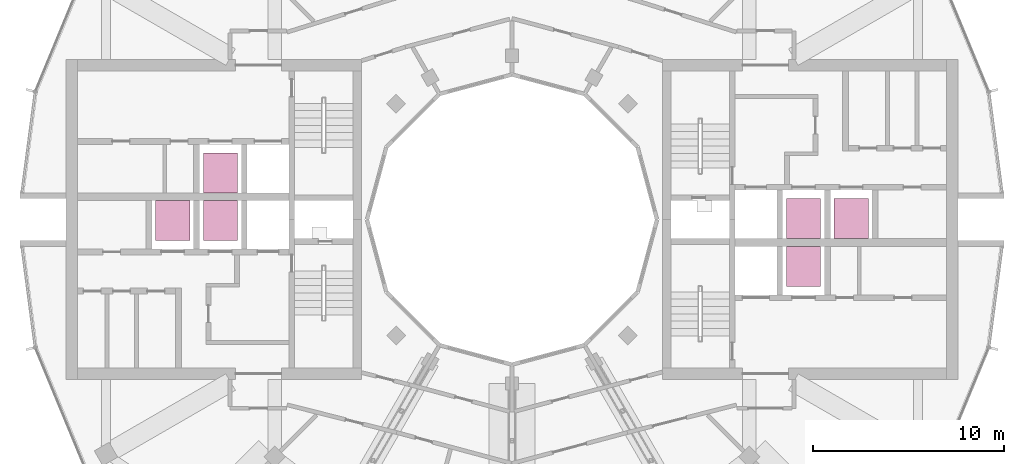
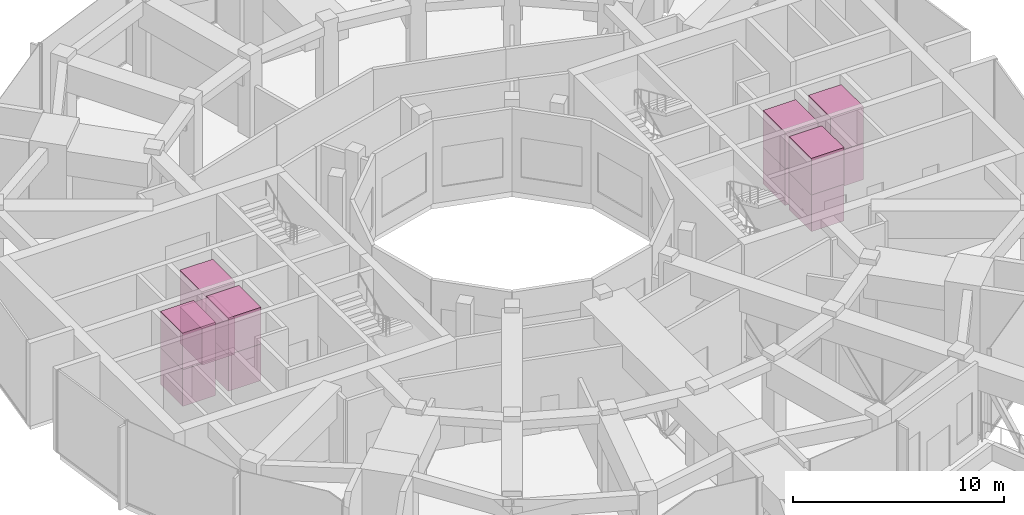
# One storey, part 17 of 17: 12 transport elements.
"""IFC4 building model written with IfcOpenShell, lengths in metres."""

from ifc_helpers import new_model, si_unit, direction, frame, origin, origin_2d, place, context, subcontext, project, spatial, rectangle, extrude, material, type_object, element, save


model = new_model("IFC4")

# Units and contexts
model_context = context("Model", 3, precision=1e-05, world=origin(), true_north=direction((0.0, 1.0)))
body_context = subcontext(model_context, "Body", "Model", "MODEL_VIEW")
ifc_project = project(units=[si_unit("LENGTHUNIT", "METRE"), si_unit("AREAUNIT", "SQUARE_METRE"), si_unit("VOLUMEUNIT", "CUBIC_METRE"), si_unit("PLANEANGLEUNIT", "RADIAN"), si_unit("MASSUNIT", "GRAM", prefix="KILO")], contexts=[model_context])

# Site, building, storey
site_placement = place(None, origin())
site = spatial("IfcSite", under=ifc_project, at=site_placement, CompositionType="ELEMENT")
building_placement = place(site_placement, origin())
building = spatial("IfcBuilding", under=site, at=building_placement, Name="Torre Brocal", CompositionType="ELEMENT")
storey_placement = place(building_placement, frame((0.0, 0.0, 270.89990234375)))
storey = spatial("IfcBuildingStorey", under=building, at=storey_placement, Name="L62", CompositionType="ELEMENT", Elevation=270.89990234375)

# Transport elements
ifc_material = material(Name="Stainless steel AISI 316", Category="steel")
transport_element_type = type_object("IfcTransportElementType", Name="PASSENGER LIFT", PredefinedType="ELEVATOR", material=ifc_material)
for number, where, z_axis, x_axis, name in (
    (1, (95.300048828125, 75.050048828125, 0.0), (0.0, 0.0, 1.0), (1.0, 0.0, 0.0), "HIGH RISE LIFT E-HR1"),
    (2, (95.300048828125, 75.050048828125, 2.125), (0.0, 0.0, 1.0), (1.0, 0.0, 0.0), "HIGH RISE LIFT E-HR1"),
    (3, (95.300048828125, 72.550048828125, 0.0), (0.0, 0.0, 1.0), (1.0, 0.0, 0.0), "HIGH RISE LIFT E-HR2"),
    (4, (95.300048828125, 72.550048828125, 2.125), (0.0, 0.0, 1.0), (1.0, 0.0, 0.0), "HIGH RISE LIFT E-HR2"),
    (5, (97.800048828125, 75.050048828125, 0.0), (0.0, 0.0, 1.0), (1.0, 0.0, 0.0), "HIGH RISE LIFT E-HR3"),
    (6, (97.800048828125, 75.050048828125, 2.125), (0.0, 0.0, 1.0), (1.0, 0.0, 0.0), "HIGH RISE LIFT E-HR3"),
    (7, (64.699951171875, 74.949951171875, 0.0), (0.0, 0.0, 1.0), (1.0, 0.0, 0.0), "HIGH RISE LIFT W-HR1"),
    (8, (64.699951171875, 74.949951171875, 2.125), (0.0, 0.0, 1.0), (1.0, 0.0, 0.0), "HIGH RISE LIFT W-HR1"),
    (9, (64.699951171875, 77.449951171875, 0.0), (0.0, 0.0, 1.0), (1.0, 0.0, 0.0), "HIGH RISE LIFT W-HR2"),
    (10, (64.699951171875, 77.449951171875, 2.125), (0.0, 0.0, 1.0), (1.0, 0.0, 0.0), "HIGH RISE LIFT W-HR2"),
    (11, (62.199951171875, 74.949951171875, 0.0), (0.0, 0.0, 1.0), (1.0, 0.0, 0.0), "HIGH RISE LIFT W-HR3"),
    (12, (62.199951171875, 74.949951171875, 2.125), (0.0, 0.0, 1.0), (1.0, 0.0, 0.0), "HIGH RISE LIFT W-HR3"),
):
    element("IfcTransportElement", number, at=place(storey_placement, frame(where, z_axis=z_axis, x_axis=x_axis)), inside=storey, type_object=transport_element_type, Name=name, PredefinedType="ELEVATOR", context=body_context, shape_type="SweptSolid", body=[
        extrude(rectangle(XDim=1.800048828125, YDim=2.10009765625, at=origin_2d()), origin(), (0.0, 0.0, 1.0), 2.125),
    ])

save(model, "model.ifc")
